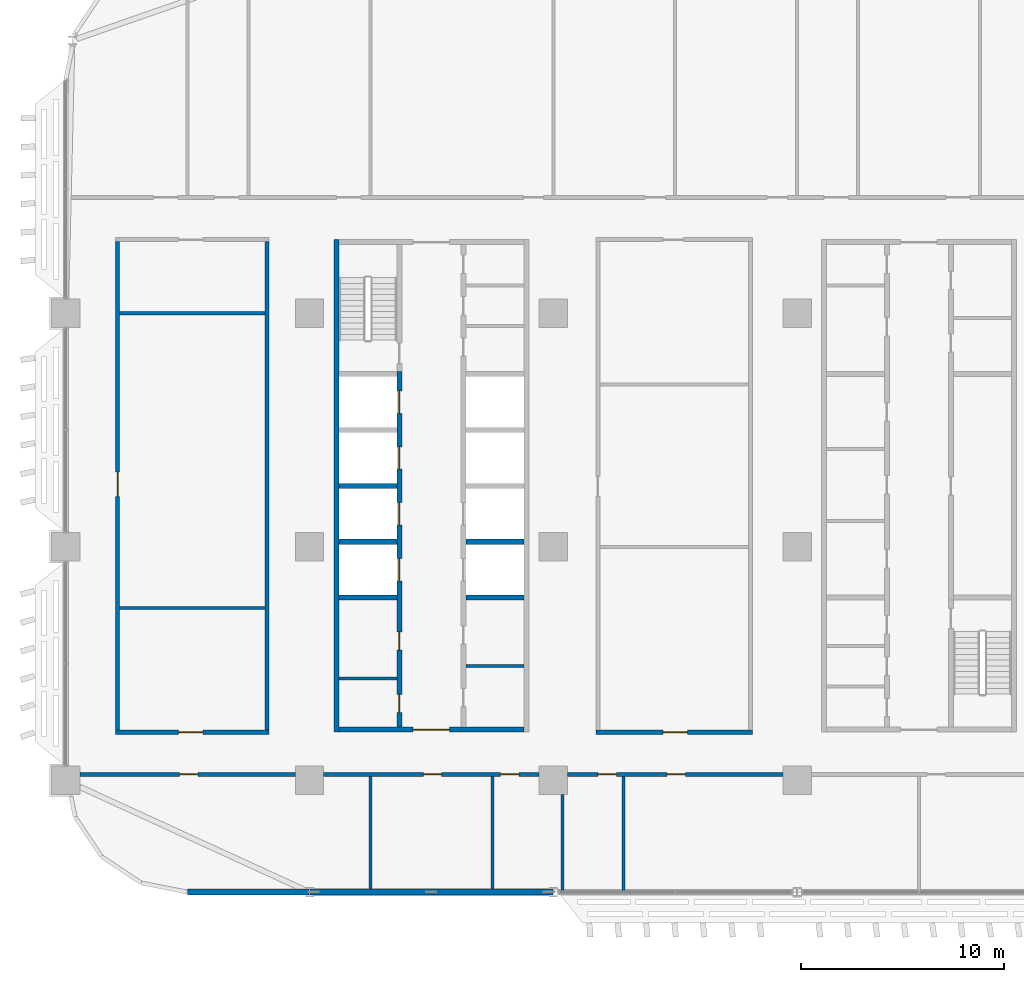
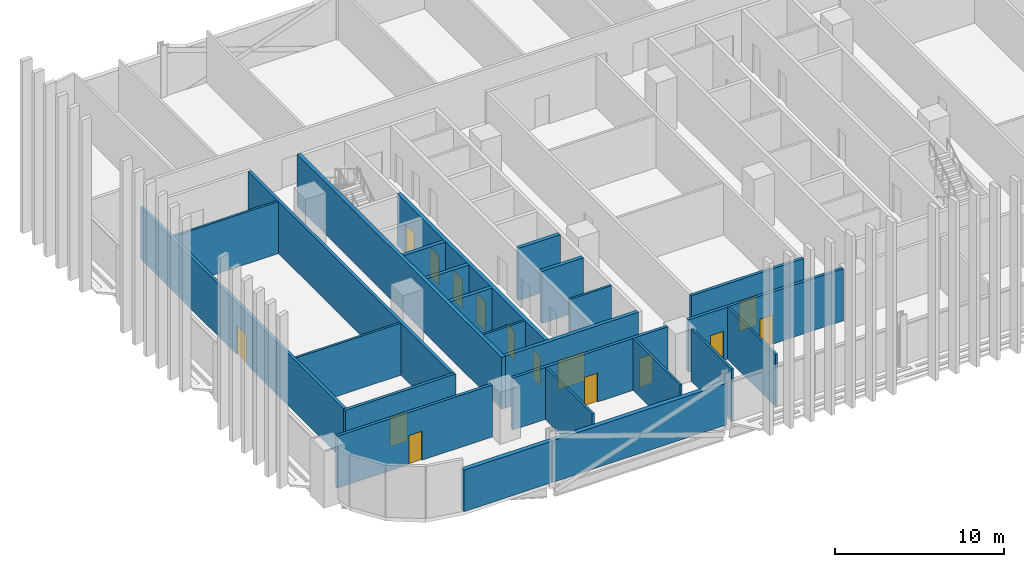
# One storey, part 12 of 31: 25 walls, 15 doors, 15 openings.
"""IFC4 building model written with IfcOpenShell, lengths in metres."""

from ifc_helpers import new_model, si_unit, direction, frame, frame_2d, origin, place, context, subcontext, project, spatial, rectangle, extrude, material, layer, layer_set, type_object, element, fill, save


model = new_model("IFC4")

# Units and contexts
model_context = context("Model", 3, precision=1e-05, world=origin(), true_north=direction((0.0, 1.0)))
body_context = subcontext(model_context, "Body", "Model", "MODEL_VIEW")
ifc_project = project(units=[si_unit("LENGTHUNIT", "METRE"), si_unit("AREAUNIT", "SQUARE_METRE"), si_unit("VOLUMEUNIT", "CUBIC_METRE"), si_unit("PLANEANGLEUNIT", "RADIAN"), si_unit("MASSUNIT", "GRAM", prefix="KILO")], contexts=[model_context])

# Site, building, storey
site_placement = place(None, origin())
site = spatial("IfcSite", under=ifc_project, at=site_placement, CompositionType="ELEMENT")
building_placement = place(site_placement, origin())
building = spatial("IfcBuilding", under=site, at=building_placement, Name="Mahtab Terrace Research Tower", CompositionType="ELEMENT")
storey_placement = place(building_placement, frame((0.0, 0.0, 101.199951171875)))
storey = spatial("IfcBuildingStorey", under=building, at=storey_placement, Name="L23", CompositionType="ELEMENT", Elevation=101.199951171875)

# Walls
ifc_material_1 = material(Name="Gypsum board partition")
ifc_layer_1 = layer(ifc_material_1, 0.14990234375)
ifc_layer_set_1 = layer_set([ifc_layer_1], Name="Core partition 150")
wall_type_1 = type_object("IfcWallType", Name="Core partition 150", PredefinedType="PARTITIONING", material=ifc_layer_set_1)
for number, where, z_axis, x_axis, name in (
    (1, (-28.550048828125, -6.47509765625, 0.0), (0.0, 0.0, 1.0), (1.0, 0.0, 0.0), "Core wall A pWS-948"),
    (2, (-22.300048828125, -5.875, 0.0), (0.0, 0.0, 1.0), (1.0, 0.0, 0.0), "Core wall A pES-888"),
):
    element("IfcWall", number, at=place(storey_placement, frame(where, z_axis=z_axis, x_axis=x_axis)), inside=storey, type_object=wall_type_1, Name=name, PredefinedType="PARTITIONING", context=body_context, shape_type="SweptSolid", body=[
        extrude(rectangle(XDim=2.85009765625, YDim=0.14990234375, at=frame_2d((1.425048828125, 0.0))), origin(), (0.0, 0.0, 1.0), 3.760009765625),
    ])
ifc_material_2 = material(Name="Concrete C70/85", Category="concrete")
ifc_layer_2 = layer(ifc_material_2, 0.25)
ifc_layer_set_2 = layer_set([ifc_layer_2], Name="Core wall 250")
wall_type_2 = type_object("IfcWallType", Name="Core wall 250", PredefinedType="SOLIDWALL", material=ifc_layer_set_2)
wall_1_placement = place(storey_placement, frame((-28.675048828125, 15.125, 0.0), z_axis=(0.0, 0.0, 1.0), x_axis=(0.0, -1.0, 0.0)))
element("IfcWall", 3, at=wall_1_placement, inside=storey, type_object=wall_type_2, Name="Core wall A outerW", PredefinedType="SOLIDWALL", context=body_context, shape_type="SweptSolid", body=[
    extrude(rectangle(XDim=24.25, YDim=0.25, at=frame_2d((12.125, 0.0))), origin(), (0.0, 0.0, 1.0), 3.760009765625),
])

# Wall, opening, door
wall_2_placement = place(storey_placement, frame((-19.449951171875, -9.0, 0.0), z_axis=(0.0, 0.0, 1.0), x_axis=(-1.0, 0.0, 0.0)))
wall_2 = element("IfcWall", 4, at=wall_2_placement, inside=storey, type_object=wall_type_2, Name="Core wall A endS", PredefinedType="SOLIDWALL", context=body_context, shape_type="SweptSolid", body=[
    extrude(rectangle(XDim=9.10009765625, YDim=0.25, at=frame_2d((4.550048828125, 0.0))), origin(), (0.0, 0.0, 1.0), 3.760009765625),
])
opening_1_placement = place(wall_2_placement, frame((3.64990234375, 0.0, 0.0)))
opening_1 = element("IfcOpeningElement", 5, at=opening_1_placement, cuts=wall_2, Name="Opening A-S1", PredefinedType="OPENING", context=body_context, shape_type="SweptSolid", body=[
    extrude(rectangle(XDim=1.800048828125, YDim=2.10009765625, at=frame_2d((0.89990234375, 1.050048828125))), frame((0.0, 0.135009765625, 0.0), z_axis=(0.0, -1.0, 0.0), x_axis=(1.0, 0.0, 0.0)), (0.0, 0.0, 1.0), 0.27001953125),
])
ifc_material_3 = material(Name="Steel fire door", Category="steel")
door_type_1 = type_object("IfcDoorType", Name="Lobby double door 1800x2100 1 HR", OperationType="DOUBLE_DOOR_SINGLE_SWING", PredefinedType="DOOR", material=ifc_material_3)
door_1_placement = place(opening_1_placement, origin())
door_1 = element("IfcDoor", 6, at=door_1_placement, inside=storey, type_object=door_type_1, Name="Core entrance door A S", OperationType="DOUBLE_DOOR_SINGLE_SWING", OverallHeight=2.10009765625, OverallWidth=1.800048828125, PredefinedType="DOOR", context=body_context, shape_type="SweptSolid", body=[
    extrude(rectangle(XDim=1.800048828125, YDim=2.10009765625, at=frame_2d((0.89990234375, 1.050048828125))), frame((0.0, 0.02490234375, 0.0), z_axis=(0.0, -1.0, 0.0), x_axis=(1.0, 0.0, 0.0)), (0.0, 0.0, 1.0), 0.050048828125),
])
fill(opening_1, door_1)

# Wall, openings, doors
wall_3_placement = place(storey_placement, frame((-25.574951171875, -8.875, 0.0), z_axis=(0.0, 0.0, 1.0), x_axis=(0.0, 1.0, 0.0)))
wall_3 = element("IfcWall", 7, at=wall_3_placement, inside=storey, type_object=wall_type_2, Name="Core wall A innerWSL", PredefinedType="SOLIDWALL", context=body_context, shape_type="SweptSolid", body=[
    extrude(rectangle(XDim=17.5, YDim=0.25, at=frame_2d((8.75, 0.0))), origin(), (0.0, 0.0, 1.0), 3.760009765625),
])
opening_2_placement = place(wall_3_placement, frame((7.199951171875, 0.0, 0.0)))
opening_2 = element("IfcOpeningElement", 8, at=opening_2_placement, cuts=wall_3, Name="Opening LD01-L23", PredefinedType="OPENING", context=body_context, shape_type="SweptSolid", body=[
    extrude(rectangle(XDim=1.10009765625, YDim=2.10009765625, at=frame_2d((0.550048828125, 1.050048828125))), frame((0.0, 0.135009765625, 0.0), z_axis=(0.0, -1.0, 0.0), x_axis=(1.0, 0.0, 0.0)), (0.0, 0.0, 1.0), 0.27001953125),
])
opening_3_placement = place(wall_3_placement, frame((9.949951171875, 0.0, 0.0)))
opening_3 = element("IfcOpeningElement", 9, at=opening_3_placement, cuts=wall_3, Name="Opening LD02-L23", PredefinedType="OPENING", context=body_context, shape_type="SweptSolid", body=[
    extrude(rectangle(XDim=1.10009765625, YDim=2.10009765625, at=frame_2d((0.550048828125, 1.050048828125))), frame((0.0, 0.135009765625, 0.0), z_axis=(0.0, -1.0, 0.0), x_axis=(1.0, 0.0, 0.0)), (0.0, 0.0, 1.0), 0.27001953125),
])
opening_4_placement = place(wall_3_placement, frame((12.699951171875, 0.0, 0.0)))
opening_4 = element("IfcOpeningElement", 10, at=opening_4_placement, cuts=wall_3, Name="Opening LD03-L23", PredefinedType="OPENING", context=body_context, shape_type="SweptSolid", body=[
    extrude(rectangle(XDim=1.10009765625, YDim=2.10009765625, at=frame_2d((0.550048828125, 1.050048828125))), frame((0.0, 0.135009765625, 0.0), z_axis=(0.0, -1.0, 0.0), x_axis=(1.0, 0.0, 0.0)), (0.0, 0.0, 1.0), 0.27001953125),
])
opening_5_placement = place(wall_3_placement, frame((15.449951171875, 0.0, 0.0)))
opening_5 = element("IfcOpeningElement", 11, at=opening_5_placement, cuts=wall_3, Name="Opening LD04-L23", PredefinedType="OPENING", context=body_context, shape_type="SweptSolid", body=[
    extrude(rectangle(XDim=1.10009765625, YDim=2.10009765625, at=frame_2d((0.550048828125, 1.050048828125))), frame((0.0, 0.135009765625, 0.0), z_axis=(0.0, -1.0, 0.0), x_axis=(1.0, 0.0, 0.0)), (0.0, 0.0, 1.0), 0.27001953125),
])
opening_6_placement = place(wall_3_placement, frame((0.71240234375, 0.0, 0.0)))
opening_6 = element("IfcOpeningElement", 12, at=opening_6_placement, cuts=wall_3, Name="Opening A-R1", PredefinedType="OPENING", context=body_context, shape_type="SweptSolid", body=[
    extrude(rectangle(XDim=0.89990234375, YDim=2.10009765625, at=frame_2d((0.449951171875, 1.050048828125))), frame((0.0, 0.135009765625, 0.0), z_axis=(0.0, -1.0, 0.0), x_axis=(1.0, 0.0, 0.0)), (0.0, 0.0, 1.0), 0.27001953125),
])
opening_7_placement = place(wall_3_placement, frame((3.78759765625, 0.0, 0.0)))
opening_7 = element("IfcOpeningElement", 13, at=opening_7_placement, cuts=wall_3, Name="Opening A-R2", PredefinedType="OPENING", context=body_context, shape_type="SweptSolid", body=[
    extrude(rectangle(XDim=0.89990234375, YDim=2.10009765625, at=frame_2d((0.449951171875, 1.050048828125))), frame((0.0, 0.135009765625, 0.0), z_axis=(0.0, -1.0, 0.0), x_axis=(1.0, 0.0, 0.0)), (0.0, 0.0, 1.0), 0.27001953125),
])
ifc_material_4 = material(Name="Stainless steel AISI 304", Category="steel")
door_type_2 = type_object("IfcDoorType", Name="Landing door 1100x2100", OperationType="DOUBLE_DOOR_SLIDING", PredefinedType="DOOR", material=ifc_material_4)
door_2_placement = place(opening_2_placement, origin())
door_2 = element("IfcDoor", 14, at=door_2_placement, inside=storey, type_object=door_type_2, Name="Landing door LR1 L23", OperationType="DOUBLE_DOOR_SLIDING", OverallHeight=2.10009765625, OverallWidth=1.10009765625, PredefinedType="DOOR", context=body_context, shape_type="SweptSolid", body=[
    extrude(rectangle(XDim=1.10009765625, YDim=2.10009765625, at=frame_2d((0.550048828125, 1.050048828125))), frame((0.0, 0.02490234375, 0.0), z_axis=(0.0, -1.0, 0.0), x_axis=(1.0, 0.0, 0.0)), (0.0, 0.0, 1.0), 0.050048828125),
])
fill(opening_2, door_2)
door_3_placement = place(opening_3_placement, origin())
door_3 = element("IfcDoor", 15, at=door_3_placement, inside=storey, type_object=door_type_2, Name="Landing door LR2 L23", OperationType="DOUBLE_DOOR_SLIDING", OverallHeight=2.10009765625, OverallWidth=1.10009765625, PredefinedType="DOOR", context=body_context, shape_type="SweptSolid", body=[
    extrude(rectangle(XDim=1.10009765625, YDim=2.10009765625, at=frame_2d((0.550048828125, 1.050048828125))), frame((0.0, 0.02490234375, 0.0), z_axis=(0.0, -1.0, 0.0), x_axis=(1.0, 0.0, 0.0)), (0.0, 0.0, 1.0), 0.050048828125),
])
fill(opening_3, door_3)
door_4_placement = place(opening_4_placement, origin())
door_4 = element("IfcDoor", 16, at=door_4_placement, inside=storey, type_object=door_type_2, Name="Landing door LR3 L23", OperationType="DOUBLE_DOOR_SLIDING", OverallHeight=2.10009765625, OverallWidth=1.10009765625, PredefinedType="DOOR", context=body_context, shape_type="SweptSolid", body=[
    extrude(rectangle(XDim=1.10009765625, YDim=2.10009765625, at=frame_2d((0.550048828125, 1.050048828125))), frame((0.0, 0.02490234375, 0.0), z_axis=(0.0, -1.0, 0.0), x_axis=(1.0, 0.0, 0.0)), (0.0, 0.0, 1.0), 0.050048828125),
])
fill(opening_4, door_4)
door_5_placement = place(opening_5_placement, origin())
door_5 = element("IfcDoor", 17, at=door_5_placement, inside=storey, type_object=door_type_2, Name="Landing door LR4 L23", OperationType="DOUBLE_DOOR_SLIDING", OverallHeight=2.10009765625, OverallWidth=1.10009765625, PredefinedType="DOOR", context=body_context, shape_type="SweptSolid", body=[
    extrude(rectangle(XDim=1.10009765625, YDim=2.10009765625, at=frame_2d((0.550048828125, 1.050048828125))), frame((0.0, 0.02490234375, 0.0), z_axis=(0.0, -1.0, 0.0), x_axis=(1.0, 0.0, 0.0)), (0.0, 0.0, 1.0), 0.050048828125),
])
fill(opening_5, door_5)
door_type_3 = type_object("IfcDoorType", Name="Room door 900x2100 1 HR", OperationType="NOTDEFINED", PredefinedType="DOOR", material=ifc_material_3)
door_6_placement = place(opening_6_placement, origin())
door_6 = element("IfcDoor", 18, at=door_6_placement, inside=storey, type_object=door_type_3, Name="Accessible WC door", OperationType="SINGLE_SWING_LEFT", OverallHeight=2.10009765625, OverallWidth=0.89990234375, PredefinedType="DOOR", context=body_context, shape_type="SweptSolid", body=[
    extrude(rectangle(XDim=0.89990234375, YDim=2.10009765625, at=frame_2d((0.449951171875, 1.050048828125))), frame((0.0, 0.02490234375, 0.0), z_axis=(0.0, -1.0, 0.0), x_axis=(1.0, 0.0, 0.0)), (0.0, 0.0, 1.0), 0.050048828125),
])
fill(opening_6, door_6)
door_7_placement = place(opening_7_placement, origin())
door_7 = element("IfcDoor", 19, at=door_7_placement, inside=storey, type_object=door_type_3, Name="WC block door", OperationType="SINGLE_SWING_RIGHT", OverallHeight=2.10009765625, OverallWidth=0.89990234375, PredefinedType="DOOR", context=body_context, shape_type="SweptSolid", body=[
    extrude(rectangle(XDim=0.89990234375, YDim=2.10009765625, at=frame_2d((0.449951171875, 1.050048828125))), frame((0.0, 0.02490234375, 0.0), z_axis=(0.0, -1.0, 0.0), x_axis=(1.0, 0.0, 0.0)), (0.0, 0.0, 1.0), 0.050048828125),
])
fill(opening_7, door_7)

# Walls
for number, where, z_axis, x_axis, name in (
    (20, (-28.550048828125, -2.5, 0.0), (0.0, 0.0, 1.0), (1.0, 0.0, 0.0), "Core wall A divW0"),
    (21, (-28.550048828125, 0.25, 0.0), (0.0, 0.0, 1.0), (1.0, 0.0, 0.0), "Core wall A divW1"),
    (22, (-28.550048828125, 3.0, 0.0), (0.0, 0.0, 1.0), (1.0, 0.0, 0.0), "Core wall A divW2"),
    (23, (-22.300048828125, -2.5, 0.0), (0.0, 0.0, 1.0), (1.0, 0.0, 0.0), "Core wall A divE0"),
    (24, (-22.300048828125, 0.25, 0.0), (0.0, 0.0, 1.0), (1.0, 0.0, 0.0), "Core wall A divE1"),
):
    element("IfcWall", number, at=place(storey_placement, frame(where, z_axis=z_axis, x_axis=x_axis)), inside=storey, type_object=wall_type_2, Name=name, PredefinedType="SOLIDWALL", context=body_context, shape_type="SweptSolid", body=[
        extrude(rectangle(XDim=2.85009765625, YDim=0.25, at=frame_2d((1.425048828125, 0.0))), origin(), (0.0, 0.0, 1.0), 3.760009765625),
    ])
ifc_material_5 = material(Name="Black aluminium cladding panel", Category="aluminium")
ifc_layer_3 = layer(ifc_material_5, 0.300048828125)
ifc_layer_set_3 = layer_set([ifc_layer_3], Name="Opaque facade wall 300")
wall_type_3 = type_object("IfcWallType", Name="Opaque facade wall 300", PredefinedType="NOTDEFINED", material=ifc_layer_set_3)
wall_4_placement = place(storey_placement, frame((-36.0, -17.0, 0.0), z_axis=(0.0, 0.0, 1.0), x_axis=(1.0, 0.0, 0.0)))
element("IfcWall", 25, at=wall_4_placement, inside=storey, type_object=wall_type_3, Name="Opaque facade wall L23 S23", PredefinedType="NOTDEFINED", context=body_context, shape_type="SweptSolid", body=[
    extrude(rectangle(XDim=5.97900390625, YDim=0.300048828125, at=frame_2d((2.989501953125, 0.0))), origin(), (0.0, 0.0, 1.0), 3.003173828125),
])
wall_5_placement = place(storey_placement, frame((-29.97900390625, -17.0, 0.0), z_axis=(0.0, 0.0, 1.0), x_axis=(1.0, 0.0, 0.0)))
element("IfcWall", 26, at=wall_5_placement, inside=storey, type_object=wall_type_3, Name="Opaque facade wall L23 S24", PredefinedType="NOTDEFINED", context=body_context, shape_type="SweptSolid", body=[
    extrude(rectangle(XDim=11.9580078125, YDim=0.300048828125, at=frame_2d((5.97900390625, 0.0))), origin(), (0.0, 0.0, 1.0), 3.003173828125),
])

# Wall, opening, door
ifc_material_6 = material(Name="Gypsum board corridor wall on steel studs", Category="steel")
ifc_layer_4 = layer(ifc_material_6, 0.199951171875)
ifc_layer_set_4 = layer_set([ifc_layer_4], Name="WALL CORRIDOR 200")
wall_type_4 = type_object("IfcWallType", Name="WALL CORRIDOR 200", PredefinedType="PARTITIONING", material=ifc_layer_set_4)
wall_6_placement = place(storey_placement, frame((-41.300048828125, -11.199951171875, 0.0), z_axis=(0.0, 0.0, 1.0), x_axis=(1.0, 0.0, 0.0)))
wall_6 = element("IfcWall", 27, at=wall_6_placement, inside=storey, type_object=wall_type_4, Name="L23-W001", PredefinedType="PARTITIONING", context=body_context, shape_type="SweptSolid", body=[
    extrude(rectangle(XDim=10.60009765625, YDim=0.199951171875, at=frame_2d((5.300048828125, 0.0))), origin(), (0.0, 0.0, 1.0), 3.760009765625),
])
opening_8_placement = place(wall_6_placement, frame((4.89990234375, 0.0, 0.0)))
opening_8 = element("IfcOpeningElement", 28, at=opening_8_placement, cuts=wall_6, Name="Opening L23-101", PredefinedType="OPENING", context=body_context, shape_type="SweptSolid", body=[
    extrude(rectangle(XDim=0.89990234375, YDim=2.10009765625, at=frame_2d((0.449951171875, 1.050048828125))), frame((0.0, 0.10986328125, 0.0), z_axis=(0.0, -1.0, 0.0), x_axis=(1.0, 0.0, 0.0)), (0.0, 0.0, 1.0), 0.219970703125),
])
ifc_material_7 = material(Name="Timber door leaf in steel frame", Category="steel")
door_type_4 = type_object("IfcDoorType", Name="DOOR 0900X2100 FD30S", OperationType="SINGLE_SWING_LEFT", PredefinedType="DOOR", material=ifc_material_7)
door_8_placement = place(opening_8_placement, origin())
door_8 = element("IfcDoor", 29, at=door_8_placement, inside=storey, type_object=door_type_4, Name="Door L23-101", OperationType="SINGLE_SWING_LEFT", OverallHeight=2.10009765625, OverallWidth=0.89990234375, PredefinedType="DOOR", context=body_context, shape_type="SweptSolid", body=[
    extrude(rectangle(XDim=0.89990234375, YDim=2.10009765625, at=frame_2d((0.449951171875, 1.050048828125))), frame((0.0, 0.02490234375, 0.0), z_axis=(0.0, -1.0, 0.0), x_axis=(1.0, 0.0, 0.0)), (0.0, 0.0, 1.0), 0.050048828125),
])
fill(opening_8, door_8)

# Wall, openings, doors
wall_7_placement = place(storey_placement, frame((-29.300048828125, -11.199951171875, 0.0), z_axis=(0.0, 0.0, 1.0), x_axis=(1.0, 0.0, 0.0)))
wall_7 = element("IfcWall", 30, at=wall_7_placement, inside=storey, type_object=wall_type_4, Name="L23-W002", PredefinedType="PARTITIONING", context=body_context, shape_type="SweptSolid", body=[
    extrude(rectangle(XDim=10.60009765625, YDim=0.199951171875, at=frame_2d((5.300048828125, 0.0))), origin(), (0.0, 0.0, 1.0), 3.760009765625),
])
opening_9_placement = place(wall_7_placement, frame((4.89990234375, 0.0, 0.0)))
opening_9 = element("IfcOpeningElement", 31, at=opening_9_placement, cuts=wall_7, Name="Opening L23-102", PredefinedType="OPENING", context=body_context, shape_type="SweptSolid", body=[
    extrude(rectangle(XDim=0.89990234375, YDim=2.10009765625, at=frame_2d((0.449951171875, 1.050048828125))), frame((0.0, 0.10986328125, 0.0), z_axis=(0.0, -1.0, 0.0), x_axis=(1.0, 0.0, 0.0)), (0.0, 0.0, 1.0), 0.219970703125),
])
opening_10_placement = place(wall_7_placement, frame((8.699951171875, 0.0, 0.0)))
opening_10 = element("IfcOpeningElement", 32, at=opening_10_placement, cuts=wall_7, Name="Opening L23-103", PredefinedType="OPENING", context=body_context, shape_type="SweptSolid", body=[
    extrude(rectangle(XDim=0.89990234375, YDim=2.10009765625, at=frame_2d((0.449951171875, 1.050048828125))), frame((0.0, 0.10986328125, 0.0), z_axis=(0.0, -1.0, 0.0), x_axis=(1.0, 0.0, 0.0)), (0.0, 0.0, 1.0), 0.219970703125),
])
door_9_placement = place(opening_9_placement, origin())
door_9 = element("IfcDoor", 33, at=door_9_placement, inside=storey, type_object=door_type_4, Name="Door L23-102", OperationType="SINGLE_SWING_LEFT", OverallHeight=2.10009765625, OverallWidth=0.89990234375, PredefinedType="DOOR", context=body_context, shape_type="SweptSolid", body=[
    extrude(rectangle(XDim=0.89990234375, YDim=2.10009765625, at=frame_2d((0.449951171875, 1.050048828125))), frame((0.0, 0.02490234375, 0.0), z_axis=(0.0, -1.0, 0.0), x_axis=(1.0, 0.0, 0.0)), (0.0, 0.0, 1.0), 0.050048828125),
])
fill(opening_9, door_9)
door_10_placement = place(opening_10_placement, origin())
door_10 = element("IfcDoor", 34, at=door_10_placement, inside=storey, type_object=door_type_4, Name="Door L23-103", OperationType="SINGLE_SWING_LEFT", OverallHeight=2.10009765625, OverallWidth=0.89990234375, PredefinedType="DOOR", context=body_context, shape_type="SweptSolid", body=[
    extrude(rectangle(XDim=0.89990234375, YDim=2.10009765625, at=frame_2d((0.449951171875, 1.050048828125))), frame((0.0, 0.02490234375, 0.0), z_axis=(0.0, -1.0, 0.0), x_axis=(1.0, 0.0, 0.0)), (0.0, 0.0, 1.0), 0.050048828125),
])
fill(opening_10, door_10)

wall_8_placement = place(storey_placement, frame((-17.300048828125, -11.199951171875, 0.0), z_axis=(0.0, 0.0, 1.0), x_axis=(1.0, 0.0, 0.0)))
wall_8 = element("IfcWall", 35, at=wall_8_placement, inside=storey, type_object=wall_type_4, Name="L23-W003", PredefinedType="PARTITIONING", context=body_context, shape_type="SweptSolid", body=[
    extrude(rectangle(XDim=10.60009765625, YDim=0.199951171875, at=frame_2d((5.300048828125, 0.0))), origin(), (0.0, 0.0, 1.0), 3.760009765625),
])
opening_11_placement = place(wall_8_placement, frame((1.5, 0.0, 0.0)))
opening_11 = element("IfcOpeningElement", 36, at=opening_11_placement, cuts=wall_8, Name="Opening L23-104", PredefinedType="OPENING", context=body_context, shape_type="SweptSolid", body=[
    extrude(rectangle(XDim=0.89990234375, YDim=2.10009765625, at=frame_2d((0.449951171875, 1.050048828125))), frame((0.0, 0.10986328125, 0.0), z_axis=(0.0, -1.0, 0.0), x_axis=(1.0, 0.0, 0.0)), (0.0, 0.0, 1.0), 0.219970703125),
])
opening_12_placement = place(wall_8_placement, frame((4.89990234375, 0.0, 0.0)))
opening_12 = element("IfcOpeningElement", 37, at=opening_12_placement, cuts=wall_8, Name="Opening L23-105", PredefinedType="OPENING", context=body_context, shape_type="SweptSolid", body=[
    extrude(rectangle(XDim=0.89990234375, YDim=2.10009765625, at=frame_2d((0.449951171875, 1.050048828125))), frame((0.0, 0.10986328125, 0.0), z_axis=(0.0, -1.0, 0.0), x_axis=(1.0, 0.0, 0.0)), (0.0, 0.0, 1.0), 0.219970703125),
])
door_11_placement = place(opening_11_placement, origin())
door_11 = element("IfcDoor", 38, at=door_11_placement, inside=storey, type_object=door_type_4, Name="Door L23-104", OperationType="SINGLE_SWING_RIGHT", OverallHeight=2.10009765625, OverallWidth=0.89990234375, PredefinedType="DOOR", context=body_context, shape_type="SweptSolid", body=[
    extrude(rectangle(XDim=0.89990234375, YDim=2.10009765625, at=frame_2d((0.449951171875, 1.050048828125))), frame((0.0, 0.02490234375, 0.0), z_axis=(0.0, -1.0, 0.0), x_axis=(1.0, 0.0, 0.0)), (0.0, 0.0, 1.0), 0.050048828125),
])
fill(opening_11, door_11)
door_12_placement = place(opening_12_placement, origin())
door_12 = element("IfcDoor", 39, at=door_12_placement, inside=storey, type_object=door_type_4, Name="Door L23-105", OperationType="SINGLE_SWING_LEFT", OverallHeight=2.10009765625, OverallWidth=0.89990234375, PredefinedType="DOOR", context=body_context, shape_type="SweptSolid", body=[
    extrude(rectangle(XDim=0.89990234375, YDim=2.10009765625, at=frame_2d((0.449951171875, 1.050048828125))), frame((0.0, 0.02490234375, 0.0), z_axis=(0.0, -1.0, 0.0), x_axis=(1.0, 0.0, 0.0)), (0.0, 0.0, 1.0), 0.050048828125),
])
fill(opening_12, door_12)

# Wall, opening, door
wall_9_placement = place(storey_placement, frame((-39.550048828125, -9.125, 0.0), z_axis=(0.0, 0.0, 1.0), x_axis=(1.0, 0.0, 0.0)))
wall_9 = element("IfcWall", 40, at=wall_9_placement, inside=storey, type_object=wall_type_4, Name="L23-W009", PredefinedType="PARTITIONING", context=body_context, shape_type="SweptSolid", body=[
    extrude(rectangle(XDim=7.550048828125, YDim=0.199951171875, at=frame_2d((3.77490234375, 0.0))), origin(), (0.0, 0.0, 1.0), 3.760009765625),
])
opening_13_placement = place(wall_9_placement, frame((3.10009765625, 0.0, 0.0)))
opening_13 = element("IfcOpeningElement", 41, at=opening_13_placement, cuts=wall_9, Name="Opening L23-114", PredefinedType="OPENING", context=body_context, shape_type="SweptSolid", body=[
    extrude(rectangle(XDim=1.199951171875, YDim=2.10009765625, at=frame_2d((0.60009765625, 1.050048828125))), frame((0.0, 0.10986328125, 0.0), z_axis=(0.0, -1.0, 0.0), x_axis=(1.0, 0.0, 0.0)), (0.0, 0.0, 1.0), 0.219970703125),
])
door_type_5 = type_object("IfcDoorType", Name="DOOR 1200X2100 FD30S", OperationType="SINGLE_SWING_LEFT", PredefinedType="DOOR", material=ifc_material_7)
door_13_placement = place(opening_13_placement, origin())
door_13 = element("IfcDoor", 42, at=door_13_placement, inside=storey, type_object=door_type_5, Name="Door L23-114", OperationType="SINGLE_SWING_LEFT", OverallHeight=2.10009765625, OverallWidth=1.199951171875, PredefinedType="DOOR", context=body_context, shape_type="SweptSolid", body=[
    extrude(rectangle(XDim=1.199951171875, YDim=2.10009765625, at=frame_2d((0.60009765625, 1.050048828125))), frame((0.0, 0.02490234375, 0.0), z_axis=(0.0, -1.0, 0.0), x_axis=(1.0, 0.0, 0.0)), (0.0, 0.0, 1.0), 0.050048828125),
])
fill(opening_13, door_13)

wall_10_placement = place(storey_placement, frame((-15.89990234375, -9.125, 0.0), z_axis=(0.0, 0.0, 1.0), x_axis=(1.0, 0.0, 0.0)))
wall_10 = element("IfcWall", 43, at=wall_10_placement, inside=storey, type_object=wall_type_4, Name="L23-W010", PredefinedType="PARTITIONING", context=body_context, shape_type="SweptSolid", body=[
    extrude(rectangle(XDim=7.699951171875, YDim=0.199951171875, at=frame_2d((3.85009765625, 0.0))), origin(), (0.0, 0.0, 1.0), 3.760009765625),
])
opening_14_placement = place(wall_10_placement, frame((3.300048828125, 0.0, 0.0)))
opening_14 = element("IfcOpeningElement", 44, at=opening_14_placement, cuts=wall_10, Name="Opening L23-116", PredefinedType="OPENING", context=body_context, shape_type="SweptSolid", body=[
    extrude(rectangle(XDim=1.199951171875, YDim=2.10009765625, at=frame_2d((0.60009765625, 1.050048828125))), frame((0.0, 0.10986328125, 0.0), z_axis=(0.0, -1.0, 0.0), x_axis=(1.0, 0.0, 0.0)), (0.0, 0.0, 1.0), 0.219970703125),
])
door_14_placement = place(opening_14_placement, origin())
door_14 = element("IfcDoor", 45, at=door_14_placement, inside=storey, type_object=door_type_5, Name="Door L23-116", OperationType="SINGLE_SWING_RIGHT", OverallHeight=2.10009765625, OverallWidth=1.199951171875, PredefinedType="DOOR", context=body_context, shape_type="SweptSolid", body=[
    extrude(rectangle(XDim=1.199951171875, YDim=2.10009765625, at=frame_2d((0.60009765625, 1.050048828125))), frame((0.0, 0.02490234375, 0.0), z_axis=(0.0, -1.0, 0.0), x_axis=(1.0, 0.0, 0.0)), (0.0, 0.0, 1.0), 0.050048828125),
])
fill(opening_14, door_14)

wall_11_placement = place(storey_placement, frame((-39.449951171875, -9.02490234375, 0.0), z_axis=(0.0, 0.0, 1.0), x_axis=(0.0, 1.0, 0.0)))
wall_11 = element("IfcWall", 46, at=wall_11_placement, inside=storey, type_object=wall_type_4, Name="L23-W027", PredefinedType="PARTITIONING", context=body_context, shape_type="SweptSolid", body=[
    extrude(rectangle(XDim=24.0498046875, YDim=0.199951171875, at=frame_2d((12.02490234375, 0.0))), origin(), (0.0, 0.0, 1.0), 3.760009765625),
])
opening_15_placement = place(wall_11_placement, frame((11.5, 0.0, 0.0)))
opening_15 = element("IfcOpeningElement", 47, at=opening_15_placement, cuts=wall_11, Name="Opening L23-118", PredefinedType="OPENING", context=body_context, shape_type="SweptSolid", body=[
    extrude(rectangle(XDim=1.199951171875, YDim=2.10009765625, at=frame_2d((0.60009765625, 1.050048828125))), frame((0.0, 0.10986328125, 0.0), z_axis=(0.0, -1.0, 0.0), x_axis=(1.0, 0.0, 0.0)), (0.0, 0.0, 1.0), 0.219970703125),
])
door_15_placement = place(opening_15_placement, origin())
door_15 = element("IfcDoor", 48, at=door_15_placement, inside=storey, type_object=door_type_5, Name="Door L23-118", OperationType="SINGLE_SWING_LEFT", OverallHeight=2.10009765625, OverallWidth=1.199951171875, PredefinedType="DOOR", context=body_context, shape_type="SweptSolid", body=[
    extrude(rectangle(XDim=1.199951171875, YDim=2.10009765625, at=frame_2d((0.60009765625, 1.050048828125))), frame((0.0, 0.02490234375, 0.0), z_axis=(0.0, -1.0, 0.0), x_axis=(1.0, 0.0, 0.0)), (0.0, 0.0, 1.0), 0.050048828125),
])
fill(opening_15, door_15)

# Walls
wall_12_placement = place(storey_placement, frame((-32.10009765625, -9.02490234375, 0.0), z_axis=(0.0, 0.0, 1.0), x_axis=(0.0, 1.0, 0.0)))
element("IfcWall", 49, at=wall_12_placement, inside=storey, type_object=wall_type_4, Name="L23-W030", PredefinedType="PARTITIONING", context=body_context, shape_type="SweptSolid", body=[
    extrude(rectangle(XDim=24.0498046875, YDim=0.199951171875, at=frame_2d((12.02490234375, 0.0))), origin(), (0.0, 0.0, 1.0), 3.760009765625),
])
ifc_material_8 = material(Name="Gypsum board partition on steel studs", Category="steel")
ifc_layer_5 = layer(ifc_material_8, 0.14990234375)
ifc_layer_set_5 = layer_set([ifc_layer_5], Name="WALL PARTITION 150")
wall_type_5 = type_object("IfcWallType", Name="WALL PARTITION 150", PredefinedType="PARTITIONING", material=ifc_layer_set_5)
for number, where, z_axis, x_axis, name in (
    (50, (-39.35009765625, -3.0, 0.0), (0.0, 0.0, 1.0), (1.0, 0.0, 0.0), "L23-W013"),
    (51, (-39.35009765625, 11.5, 0.0), (0.0, 0.0, 1.0), (1.0, 0.0, 0.0), "L23-W020"),
):
    element("IfcWall", number, at=place(storey_placement, frame(where, z_axis=z_axis, x_axis=x_axis)), inside=storey, type_object=wall_type_5, Name=name, PredefinedType="PARTITIONING", context=body_context, shape_type="SweptSolid", body=[
        extrude(rectangle(XDim=7.150146484375, YDim=0.14990234375, at=frame_2d((3.5751953125, 0.0))), origin(), (0.0, 0.0, 1.0), 3.760009765625),
    ])
for number, where, z_axis, x_axis, name in (
    (52, (-27.0, -16.85009765625, 0.0), (0.0, 0.0, 1.0), (0.0, 1.0, 0.0), "L23-W031"),
    (53, (-21.0, -16.85009765625, 0.0), (0.0, 0.0, 1.0), (0.0, 1.0, 0.0), "L23-W033"),
):
    element("IfcWall", number, at=place(storey_placement, frame(where, z_axis=z_axis, x_axis=x_axis)), inside=storey, type_object=wall_type_5, Name=name, PredefinedType="PARTITIONING", context=body_context, shape_type="SweptSolid", body=[
        extrude(rectangle(XDim=5.550048828125, YDim=0.14990234375, at=frame_2d((2.77490234375, 0.0))), origin(), (0.0, 0.0, 1.0), 3.760009765625),
    ])
wall_13_placement = place(storey_placement, frame((-17.550048828125, -16.97509765625, 0.0), z_axis=(0.0, 0.0, 1.0), x_axis=(0.0, 1.0, 0.0)))
element("IfcWall", 54, at=wall_13_placement, inside=storey, type_object=wall_type_5, Name="L23-W035", PredefinedType="PARTITIONING", context=body_context, shape_type="SweptSolid", body=[
    extrude(rectangle(XDim=4.775146484375, YDim=0.14990234375, at=frame_2d((2.3876953125, 0.0))), origin(), (0.0, 0.0, 1.0), 3.760009765625),
])
wall_14_placement = place(storey_placement, frame((-14.550048828125, -16.97509765625, 0.0), z_axis=(0.0, 0.0, 1.0), x_axis=(0.0, 1.0, 0.0)))
element("IfcWall", 55, at=wall_14_placement, inside=storey, type_object=wall_type_5, Name="L23-W037", PredefinedType="PARTITIONING", context=body_context, shape_type="SweptSolid", body=[
    extrude(rectangle(XDim=5.675048828125, YDim=0.14990234375, at=frame_2d((2.83740234375, 0.0))), origin(), (0.0, 0.0, 1.0), 3.760009765625),
])

save(model, "model.ifc")
